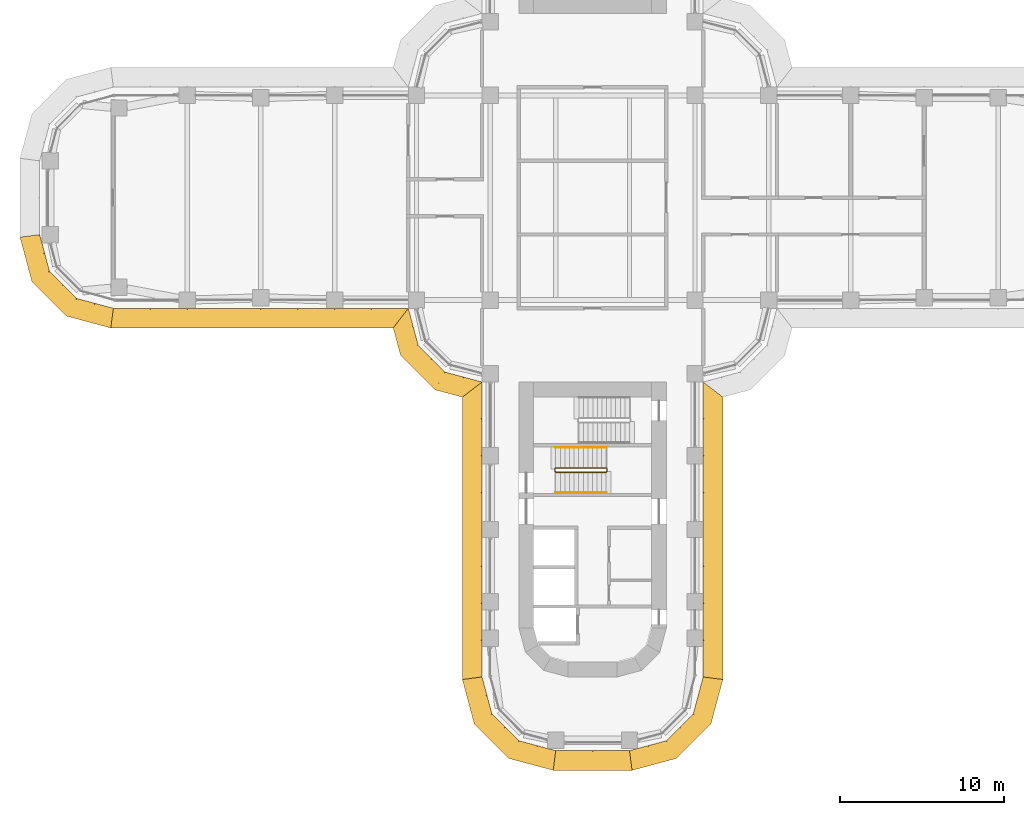
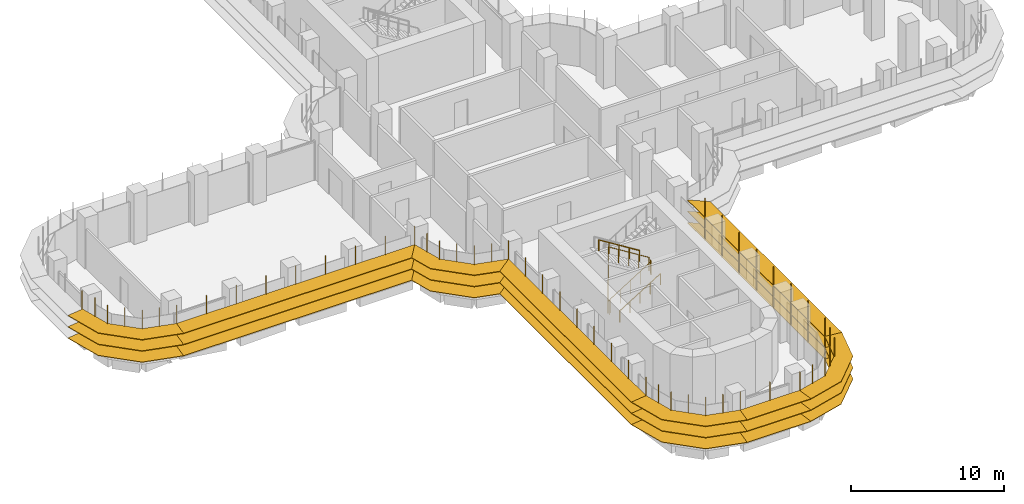
# One storey, part 20 of 23: 8 shading devices, 3 railings.
"""IFC4 building model written with IfcOpenShell, lengths in metres."""

import ifcopenshell
import ifcopenshell.guid

model = None  # the IFC model being written
_history = None  # IfcOwnerHistory: only IFC2X3 demands one
_inside = {}  # id of a spatial element -> (the spatial element, [elements in it])
_under = {}  # id of a project, library or spatial element -> (it, [spatial elements below it])
_declared = {}  # id of a project -> (the project, [libraries it declares])
_typed = {}  # id of a type object -> (the type object, [elements of that type])
_made_of = {}  # id of a material, layer set ... -> (it, [elements and type objects made of it])


def new_model(schema):
    """Start an empty IFC model of exactly this schema.

    Asked for "IFC4X3", IfcOpenShell would pick the latest addendum, in which some entities
    have other attributes; the version numbers below select the first issue.
    IFC2X3 requires an IfcOwnerHistory on every rooted entity: one is made here for all.
    """
    global model, _history
    if schema == "IFC4X3":
        model = ifcopenshell.file(schema_version=(4, 3, 0, 0))
    else:
        model = ifcopenshell.file(schema=schema)
    _inside.clear()
    _under.clear()
    _declared.clear()
    _typed.clear()
    _made_of.clear()
    _history = None
    if model.schema == "IFC2X3":
        org = make("IfcOrganization", Name="unknown")
        user = make(
            "IfcPersonAndOrganization",
            ThePerson=make("IfcPerson", FamilyName="unknown"),
            TheOrganization=org,
        )
        app = make(
            "IfcApplication",
            ApplicationDeveloper=org,
            Version="unknown",
            ApplicationFullName="unknown",
            ApplicationIdentifier="unknown",
        )
        _history = make(
            "IfcOwnerHistory",
            OwningUser=user,
            OwningApplication=app,
            ChangeAction="ADDED",
            CreationDate=0,
        )
    return model


def make(cls, **values):
    """One entity of the class cls with the attributes given. An attribute that is None is left unset."""
    return model.create_entity(
        cls, **{name: value for name, value in values.items() if value is not None}
    )


def rooted(cls, **values):
    """An entity with a GlobalId (a new one), such as an element, a storey or a relation."""
    return make(cls, GlobalId=ifcopenshell.guid.new(), OwnerHistory=_history, **values)


def si_unit(unit_type, name, prefix=None):
    """IfcSIUnit, for example si_unit("LENGTHUNIT", "METRE", prefix="MILLI")."""
    return make("IfcSIUnit", UnitType=unit_type, Prefix=prefix, Name=name)


def assignment(units):
    """IfcUnitAssignment: the units of a project."""
    return None if units is None else make("IfcUnitAssignment", Units=units)


def point(xyz):
    """IfcCartesianPoint."""
    return None if xyz is None else make("IfcCartesianPoint", Coordinates=xyz)


def direction(xyz):
    """IfcDirection."""
    return None if xyz is None else make("IfcDirection", DirectionRatios=xyz)


def frame(location, z_axis=None, x_axis=None):
    """IfcAxis2Placement3D, a coordinate frame: its origin and axes. An axis left out is left unset."""
    return make(
        "IfcAxis2Placement3D",
        Location=point(location),
        Axis=direction(z_axis),
        RefDirection=direction(x_axis),
    )


def frame_2d(location, x_axis=None):
    """IfcAxis2Placement2D, a coordinate frame in the plane: its origin and x axis."""
    return make(
        "IfcAxis2Placement2D", Location=point(location), RefDirection=direction(x_axis)
    )


def origin():
    """The frame at (0, 0, 0) with its axes left unset."""
    return frame((0.0, 0.0, 0.0))


def origin_2d():
    """The frame at (0, 0) in the plane with its x axis left unset."""
    return frame_2d((0.0, 0.0))


def place(relative_to, where):
    """IfcLocalPlacement: puts the frame where relative to a parent placement (None: the world)."""
    return make(
        "IfcLocalPlacement", PlacementRelTo=relative_to, RelativePlacement=where
    )


def context(
    kind, dimensions, precision=None, world=None, true_north=None, identifier=None
):
    """IfcGeometricRepresentationContext, for example the 3D "Model" context."""
    return make(
        "IfcGeometricRepresentationContext",
        ContextIdentifier=identifier,
        ContextType=kind,
        CoordinateSpaceDimension=dimensions,
        Precision=precision,
        WorldCoordinateSystem=world,
        TrueNorth=true_north,
    )


def subcontext(parent, identifier, kind, view, scale=None):
    """IfcGeometricRepresentationSubContext, for example "Body" below "Model"."""
    return make(
        "IfcGeometricRepresentationSubContext",
        ContextIdentifier=identifier,
        ContextType=kind,
        ParentContext=parent,
        TargetScale=scale,
        TargetView=view,
    )


def project(units=None, contexts=None):
    """IfcProject with its units and contexts."""
    return rooted(
        "IfcProject",
        Name="project",
        RepresentationContexts=contexts,
        UnitsInContext=assignment(units),
    )


def spatial(cls, under=None, at=None, **own):
    """A site, building, storey or space (cls), placed at a placement, below another one or the project."""
    s = rooted(cls, ObjectPlacement=at, **own)
    if under is not None:
        _under.setdefault(under.id(), (under, []))[1].append(s)
    return s


def polyline(points):
    """IfcPolyline through the points."""
    return make("IfcPolyline", Points=[point(p) for p in points])


def profile(cls, at=None, kind="AREA", **sizes):
    """A parametric profile (cls). Its sizes go by their IFC names, for example OverallWidth=200.0."""
    return make(cls, ProfileType=kind, Position=at, **sizes)


def circle(**sizes):
    """IfcCircleProfileDef."""
    return profile("IfcCircleProfileDef", **sizes)


def outline(outer, holes=None, kind="AREA"):
    """IfcArbitraryClosedProfileDef: a profile drawn as a closed curve; with holes, ...WithVoids."""
    if holes is None:
        return make("IfcArbitraryClosedProfileDef", ProfileType=kind, OuterCurve=outer)
    return make(
        "IfcArbitraryProfileDefWithVoids",
        ProfileType=kind,
        OuterCurve=outer,
        InnerCurves=holes,
    )


def extrude(swept, where, along, depth):
    """IfcExtrudedAreaSolid: the profile swept, set in the frame where, extruded along a direction by depth."""
    return make(
        "IfcExtrudedAreaSolid",
        SweptArea=swept,
        Position=where,
        ExtrudedDirection=direction(along),
        Depth=depth,
    )


def faces_of(points, faces, orient=None, outer=None):
    """IfcFace entities. A face is a list of loops; a loop is a list of indices into points, from 0.

    orient and outer hold one flag for each loop. By default every Orientation is true, the
    first loop of a face is its IfcFaceOuterBound and the others are IfcFaceBound.
    """
    made = []
    for i, loops in enumerate(faces):
        bounds = []
        for j, loop in enumerate(loops):
            is_outer = j == 0 if outer is None else outer[i][j]
            bounds.append(
                make(
                    "IfcFaceOuterBound" if is_outer else "IfcFaceBound",
                    Bound=make("IfcPolyLoop", Polygon=[points[k] for k in loop]),
                    Orientation=True if orient is None else orient[i][j],
                )
            )
        made.append(make("IfcFace", Bounds=bounds))
    return made


def faceted_brep(points, faces, orient=None, outer=None, voids=None):
    """IfcFacetedBrep: a solid bounded by flat faces; with voids (closed shells), ...WithVoids."""
    shared = [point(p) for p in points]
    hull = make("IfcClosedShell", CfsFaces=faces_of(shared, faces, orient, outer))
    if voids is None:
        return make("IfcFacetedBrep", Outer=hull)
    return make(
        "IfcFacetedBrepWithVoids",
        Outer=hull,
        Voids=[
            make(cls, CfsFaces=faces_of(shared, fs, o, b)) for cls, fs, o, b in voids
        ],
    )


def shape(context_of_items, identifier, shape_type, items):
    """IfcShapeRepresentation: the items that make up one representation, for example the "Body"."""
    return make(
        "IfcShapeRepresentation",
        ContextOfItems=context_of_items,
        RepresentationIdentifier=identifier,
        RepresentationType=shape_type,
        Items=items,
    )


def source(mapping_origin, context_of_items, identifier, shape_type, items):
    """IfcRepresentationMap: a shape defined once, which mapped items show again and again."""
    return make(
        "IfcRepresentationMap",
        MappingOrigin=mapping_origin,
        MappedRepresentation=shape(context_of_items, identifier, shape_type, items),
    )


def transform(
    local_origin,
    x_axis=None,
    y_axis=None,
    z_axis=None,
    scale=None,
    scale2=None,
    scale3=None,
    uniform=True,
):
    """IfcCartesianTransformationOperator3D, or its non-uniform kind. x_axis, y_axis, z_axis: its Axis1, 2, 3."""
    if uniform:
        return make(
            "IfcCartesianTransformationOperator3D",
            Axis1=direction(x_axis),
            Axis2=direction(y_axis),
            LocalOrigin=point(local_origin),
            Scale=scale,
            Axis3=direction(z_axis),
        )
    return make(
        "IfcCartesianTransformationOperator3DnonUniform",
        Axis1=direction(x_axis),
        Axis2=direction(y_axis),
        LocalOrigin=point(local_origin),
        Scale=scale,
        Axis3=direction(z_axis),
        Scale2=scale2,
        Scale3=scale3,
    )


def mapped(mapping_source, mapping_target):
    """IfcMappedItem: shows the shape of a source again, moved by a transform."""
    return make(
        "IfcMappedItem", MappingSource=mapping_source, MappingTarget=mapping_target
    )


def material(Name=None, Category=None):
    """IfcMaterial."""
    return make("IfcMaterial", Name=Name, Category=Category)


def made_of(thing, what):
    """Note that an element or type object is made of a material, layer set ...; save() writes the relation."""
    if what is not None:
        _made_of.setdefault(what.id(), (what, []))[1].append(thing)
    return thing


def type_object(cls, material=None, **own):
    """A type object (cls), such as IfcWallType, which elements share."""
    return made_of(rooted(cls, **own), material)


def element(
    cls,
    number,
    at=None,
    inside=None,
    cuts=None,
    type_object=None,
    material=None,
    context=None,
    identifier="Body",
    shape_type=None,
    held_by="IfcProductDefinitionShape",
    body=None,
    shapes=None,
    **own,
):
    """One element of the class cls, such as IfcWall. Its Tag is "e" and its number.

    at: its placement. inside: the storey or other place that contains it. cuts: it is an
    opening in that element (IfcRelVoidsElement). A single representation is given by context,
    identifier, shape_type and body (its items); several are given by shapes. held_by: the class
    of the entity that holds the representations. save() writes the other relations.
    """
    e = rooted(cls, Tag="e%d" % number, ObjectPlacement=at, **own)
    if body is not None:
        shapes = [shape(context, identifier, shape_type, body)]
    if shapes is not None:
        e.Representation = make(held_by, Representations=shapes)
    if inside is not None:
        _inside.setdefault(inside.id(), (inside, []))[1].append(e)
    if cuts is not None:
        rooted(
            "IfcRelVoidsElement", RelatingBuildingElement=cuts, RelatedOpeningElement=e
        )
    if type_object is not None:
        _typed.setdefault(type_object.id(), (type_object, []))[1].append(e)
    return made_of(e, material)


def aggregate(whole, parts):
    """IfcRelAggregates: a whole, such as a stair, and the parts it consists of."""
    return rooted("IfcRelAggregates", RelatingObject=whole, RelatedObjects=parts)


def save(model, path):
    """Write the relations noted so far, then the file.

    IfcRelAggregates (storeys below a building ...), IfcRelContainedInSpatialStructure (elements
    in a storey), IfcRelDefinesByType, IfcRelAssociatesMaterial and IfcRelDeclares: one each for
    every whole, place, type object, material and project.
    """
    for whole, parts in _under.values():
        aggregate(whole, parts)
    for where, things in _inside.values():
        rooted(
            "IfcRelContainedInSpatialStructure",
            RelatedElements=things,
            RelatingStructure=where,
        )
    for kind, things in _typed.values():
        rooted("IfcRelDefinesByType", RelatedObjects=things, RelatingType=kind)
    for what, things in _made_of.values():
        rooted("IfcRelAssociatesMaterial", RelatedObjects=things, RelatingMaterial=what)
    for by, libraries in _declared.values():
        rooted("IfcRelDeclares", RelatingContext=by, RelatedDefinitions=libraries)
    model.write(path)


model = new_model("IFC4")

# Units and contexts
model_context = context("Model", 3, precision=1e-05, world=origin(), true_north=direction((0.0, 1.0)))
body_context = subcontext(model_context, "Body", "Model", "MODEL_VIEW")
ifc_project = project(units=[si_unit("LENGTHUNIT", "METRE"), si_unit("AREAUNIT", "SQUARE_METRE"), si_unit("VOLUMEUNIT", "CUBIC_METRE"), si_unit("PLANEANGLEUNIT", "RADIAN"), si_unit("MASSUNIT", "GRAM", prefix="KILO")], contexts=[model_context])

# Site, building, storey
site_placement = place(None, origin())
site = spatial("IfcSite", under=ifc_project, at=site_placement, CompositionType="ELEMENT")
building_placement = place(site_placement, origin())
building = spatial("IfcBuilding", under=site, at=building_placement, Name="Zarbagh Exchange Tower", CompositionType="ELEMENT")
storey_placement = place(building_placement, frame((0.0, 0.0, 73.199951171875)))
storey = spatial("IfcBuildingStorey", under=building, at=storey_placement, Name="L16", CompositionType="ELEMENT", Elevation=73.199951171875)

# Railings
ifc_material_1 = material(Name="Stainless steel", Category="steel")
railing_type_1 = type_object("IfcRailingType", Name="Stair guard 1100 mm", PredefinedType="GUARDRAIL", material=ifc_material_1)
railing_1_placement = place(storey_placement, frame((0.830078125, -16.5, 2.275146484375)))
element("IfcRailing", 1, at=railing_1_placement, inside=storey, type_object=railing_type_1, Name="ST3 stair guard 1", PredefinedType="GUARDRAIL", context=body_context, shape_type="SweptSolid", body=[
    extrude(circle(Radius=0.02392578125, at=origin_2d()), frame((0.0, 0.0, 1.076171875), z_axis=(-0.848028513186, 0.0, 0.529950602248), x_axis=(0.0, -1.0, 0.0)), (0.0, 0.0, 1.0), 3.632080078125),
    extrude(circle(Radius=0.02392578125, at=origin_2d()), frame((-3.080078125, 0.0, 3.0009765625), z_axis=(-0.011914834358, -0.011914834358, -0.999858026644), x_axis=(0.707106781187, -0.707106781187, 0.0)), (0.0, 0.0, 1.0), 4.200439453125),
    extrude(circle(Radius=0.02392578125, at=origin_2d()), frame((-3.130126953125, -0.050048828125, -1.19921875), z_axis=(0.0, -1.0, 0.0), x_axis=(1.0, 0.0, 0.0)), (0.0, 0.0, 1.0), 0.14990234375),
    extrude(circle(Radius=0.02392578125, at=origin_2d()), frame((-3.130126953125, -0.199951171875, -1.19921875), z_axis=(0.265065253269, -0.265065253269, 0.927081885822), x_axis=(0.707106781187, 0.707106781187, 0.0)), (0.0, 0.0, 1.0), 0.188720703125),
    extrude(circle(Radius=0.02392578125, at=origin_2d()), frame((-3.080078125, -0.25, -1.02392578125), z_axis=(0.847998304005, 0.0, 0.529998940003), x_axis=(0.0, 1.0, 0.0)), (0.0, 0.0, 1.0), 3.632080078125),
    extrude(circle(Radius=0.02392578125, at=origin_2d()), frame((0.0, -0.25, 0.90087890625), z_axis=(0.705375805398, 0.708833529934, 0.0), x_axis=(-0.708833529934, 0.705375805398, 0.0)), (0.0, 0.0, 1.0), 0.070556640625),
    extrude(circle(Radius=0.02392578125, at=origin_2d()), frame((0.0498046875, -0.199951171875, 0.90087890625), z_axis=(0.0, 1.0, 0.0), x_axis=(-1.0, 0.0, 0.0)), (0.0, 0.0, 1.0), 0.14990234375),
    extrude(circle(Radius=0.02099609375, at=origin_2d()), origin(), (0.0, 0.0, 1.0), 1.052001953125),
    extrude(circle(Radius=0.02099609375, at=origin_2d()), frame((-0.77001953125, 0.0, 0.481201171875)), (0.0, 0.0, 1.0), 1.052001953125),
    extrude(circle(Radius=0.02099609375, at=origin_2d()), frame((-1.5400390625, 0.0, 0.96240234375)), (0.0, 0.0, 1.0), 1.052001953125),
    extrude(circle(Radius=0.02099609375, at=origin_2d()), frame((-2.31005859375, 0.0, 1.443603515625)), (0.0, 0.0, 1.0), 1.052001953125),
    extrude(circle(Radius=0.02099609375, at=origin_2d()), frame((-3.080078125, 0.0, 1.9248046875)), (0.0, 0.0, 1.0), 1.052001953125),
    extrude(circle(Radius=0.02099609375, at=origin_2d()), frame((-3.092529296875, -0.012451171875, 0.874755859375)), (0.0, 0.0, 1.0), 1.052001953125),
    extrude(circle(Radius=0.02099609375, at=origin_2d()), frame((-3.10498046875, -0.02490234375, -0.17529296875)), (0.0, 0.0, 1.0), 1.052001953125),
    extrude(circle(Radius=0.02099609375, at=origin_2d()), frame((-3.11767578125, -0.03759765625, -1.22509765625)), (0.0, 0.0, 1.0), 1.052001953125),
    extrude(circle(Radius=0.02099609375, at=origin_2d()), frame((-3.130126953125, -0.050048828125, -2.275146484375)), (0.0, 0.0, 1.0), 1.052001953125),
    extrude(circle(Radius=0.02099609375, at=origin_2d()), frame((-3.130126953125, -0.199951171875, -2.275146484375)), (0.0, 0.0, 1.0), 1.052001953125),
    extrude(circle(Radius=0.02099609375, at=origin_2d()), frame((-3.080078125, -0.25, -2.10009765625)), (0.0, 0.0, 1.0), 1.052001953125),
    extrude(circle(Radius=0.02099609375, at=origin_2d()), frame((-2.31005859375, -0.25, -1.618896484375)), (0.0, 0.0, 1.0), 1.052001953125),
    extrude(circle(Radius=0.02099609375, at=origin_2d()), frame((-1.5400390625, -0.25, -1.1376953125)), (0.0, 0.0, 1.0), 1.052001953125),
    extrude(circle(Radius=0.02099609375, at=origin_2d()), frame((-0.77001953125, -0.25, -0.65625)), (0.0, 0.0, 1.0), 1.052001953125),
    extrude(circle(Radius=0.02099609375, at=origin_2d()), frame((0.0, -0.25, -0.175048828125)), (0.0, 0.0, 1.0), 1.052001953125),
    extrude(circle(Radius=0.02099609375, at=origin_2d()), frame((0.0498046875, -0.199951171875, -0.175048828125)), (0.0, 0.0, 1.0), 1.052001953125),
    extrude(circle(Radius=0.02099609375, at=origin_2d()), frame((0.0498046875, -0.050048828125, -0.175048828125)), (0.0, 0.0, 1.0), 1.052001953125),
])
railing_type_2 = type_object("IfcRailingType", Name="Stair handrail 900 mm", PredefinedType="HANDRAIL", material=ifc_material_1)
railing_2_placement = place(storey_placement, frame((-2.25, -18.0, 0.175048828125)))
element("IfcRailing", 2, at=railing_2_placement, inside=storey, type_object=railing_type_2, Name="ST3 stair handrail 1", PredefinedType="HANDRAIL", context=body_context, shape_type="SweptSolid", body=[
    extrude(circle(Radius=0.02392578125, at=origin_2d()), frame((0.0, 0.0, 0.8759765625), z_axis=(0.847998304005, 0.0, 0.529998940003), x_axis=(0.0, 1.0, 0.0)), (0.0, 0.0, 1.0), 3.632080078125),
    extrude(circle(Radius=0.02099609375, at=origin_2d()), origin(), (0.0, 0.0, 1.0), 0.851806640625),
    extrude(circle(Radius=0.02099609375, at=origin_2d()), frame((0.77001953125, 0.0, 0.481201171875)), (0.0, 0.0, 1.0), 0.851806640625),
    extrude(circle(Radius=0.02099609375, at=origin_2d()), frame((1.5400390625, 0.0, 0.96240234375)), (0.0, 0.0, 1.0), 0.851806640625),
    extrude(circle(Radius=0.02099609375, at=origin_2d()), frame((2.31005859375, 0.0, 1.44384765625)), (0.0, 0.0, 1.0), 0.851806640625),
    extrude(circle(Radius=0.02099609375, at=origin_2d()), frame((3.080078125, 0.0, 1.925048828125)), (0.0, 0.0, 1.0), 0.851806640625),
])
railing_3_placement = place(storey_placement, frame((0.830078125, -15.25, 2.275146484375)))
element("IfcRailing", 3, at=railing_3_placement, inside=storey, type_object=railing_type_2, Name="ST3 stair handrail 2", PredefinedType="HANDRAIL", context=body_context, shape_type="SweptSolid", body=[
    extrude(circle(Radius=0.02392578125, at=origin_2d()), frame((0.0, 0.0, 0.8759765625), z_axis=(-0.848028513186, 0.0, 0.529950602248), x_axis=(0.0, -1.0, 0.0)), (0.0, 0.0, 1.0), 3.632080078125),
    extrude(circle(Radius=0.02099609375, at=origin_2d()), origin(), (0.0, 0.0, 1.0), 0.851806640625),
    extrude(circle(Radius=0.02099609375, at=origin_2d()), frame((-0.77001953125, 0.0, 0.481201171875)), (0.0, 0.0, 1.0), 0.851806640625),
    extrude(circle(Radius=0.02099609375, at=origin_2d()), frame((-1.5400390625, 0.0, 0.96240234375)), (0.0, 0.0, 1.0), 0.851806640625),
    extrude(circle(Radius=0.02099609375, at=origin_2d()), frame((-2.31005859375, 0.0, 1.443603515625)), (0.0, 0.0, 1.0), 0.851806640625),
    extrude(circle(Radius=0.02099609375, at=origin_2d()), frame((-3.080078125, 0.0, 1.9248046875)), (0.0, 0.0, 1.0), 0.851806640625),
])

# Shading devices
ifc_material_2 = material(Name="Anodised aluminium blades and brackets", Category="aluminium")
shading_device_type = type_object("IfcShadingDeviceType", Name="SUNSHADE louvre band, 0 degree blades", PredefinedType="JALOUSIE", material=ifc_material_2)
shared_shape_1 = source(origin(), body_context, "Body", "Brep", [
    faceted_brep([(0.0, 0.0, 0.0), (0.0, 0.0, -0.0400390625), (-0.157958984375, -1.199951171875, -0.0400390625), (-0.157958984375, -1.199951171875, 0.0), (2.65087890625, -1.199951171875, 0.0), (2.65087890625, -1.199951171875, -0.0400390625), (2.329345703125, 0.0, -0.0400390625), (2.329345703125, 0.0, 0.0)], [[[0, 1, 2, 3]], [[4, 5, 6, 7]], [[0, 7, 6, 1]], [[1, 6, 5, 2]], [[2, 5, 4, 3]], [[3, 4, 7, 0]]]),
])
shared_shape_2 = source(origin(), body_context, "Body", "Brep", [
    faceted_brep([(0.0, 0.0, 0.0), (0.0, 0.0, -0.0400390625), (-0.321533203125, -1.199951171875, -0.0400390625), (-0.321533203125, -1.199951171875, 0.0), (2.65087890625, -1.199951171875, 0.0), (2.65087890625, -1.199951171875, -0.0400390625), (2.329345703125, 0.0, -0.0400390625), (2.329345703125, 0.0, 0.0)], [[[0, 1, 2, 3]], [[4, 5, 6, 7]], [[0, 7, 6, 1]], [[1, 6, 5, 2]], [[2, 5, 4, 3]], [[3, 4, 7, 0]]]),
])
shared_shape_3 = source(origin(), body_context, "Body", "Brep", [
    faceted_brep([(0.0, 0.0, 0.0), (0.0, 0.0, -0.0400390625), (-0.321533203125, -1.199951171875, -0.0400390625), (-0.321533203125, -1.199951171875, 0.0), (2.4873046875, -1.199951171875, 0.0), (2.4873046875, -1.199951171875, -0.0400390625), (2.329345703125, 0.0, -0.0400390625), (2.329345703125, 0.0, 0.0)], [[[0, 1, 2, 3]], [[4, 5, 6, 7]], [[0, 7, 6, 1]], [[1, 6, 5, 2]], [[2, 5, 4, 3]], [[3, 4, 7, 0]]]),
])
shared_shape_4 = source(origin(), body_context, "Body", "SweptSolid", [
    extrude(outline(polyline([(0.0, -0.012451171875), (0.06005859375, -0.012451171875), (0.06005859375, 0.012451171875), (0.0, 0.012451171875), (0.0, -0.012451171875)])), origin(), (0.0, 0.0, 1.0), 3.35009765625),
])
placement = place(storey_placement, origin())
element("IfcShadingDevice", 4, at=placement, inside=storey, type_object=shading_device_type, Name="SS01 sunshade band", PredefinedType="JALOUSIE", context=body_context, shape_type="MappedRepresentation", body=[
    mapped(shared_shape_1, transform((2.25, -33.75, 2.699951171875), x_axis=(0.965924289636, 0.258824779902, 0.0), y_axis=(-0.258824779902, 0.965924289636, 0.0), z_axis=(0.0, 0.0, 1.0))),
    mapped(shared_shape_1, transform((2.25, -33.75, 1.800048828125), x_axis=(0.965924289636, 0.258824779902, 0.0), y_axis=(-0.258824779902, 0.965924289636, 0.0), z_axis=(0.0, 0.0, 1.0))),
    mapped(shared_shape_1, transform((2.25, -33.75, 0.900146484375), x_axis=(0.965924289636, 0.258824779902, 0.0), y_axis=(-0.258824779902, 0.965924289636, 0.0), z_axis=(0.0, 0.0, 1.0))),
    mapped(shared_shape_2, transform((4.5, -33.147216796875, 2.699951171875), x_axis=(0.707106781187, 0.707106781187, 0.0), y_axis=(-0.707106781187, 0.707106781187, 0.0), z_axis=(0.0, 0.0, 1.0))),
    mapped(shared_shape_2, transform((4.5, -33.147216796875, 1.800048828125), x_axis=(0.707106781187, 0.707106781187, 0.0), y_axis=(-0.707106781187, 0.707106781187, 0.0), z_axis=(0.0, 0.0, 1.0))),
    mapped(shared_shape_2, transform((4.5, -33.147216796875, 0.900146484375), x_axis=(0.707106781187, 0.707106781187, 0.0), y_axis=(-0.707106781187, 0.707106781187, 0.0), z_axis=(0.0, 0.0, 1.0))),
    mapped(shared_shape_3, transform((6.147216796875, -31.5, 2.699951171875), x_axis=(0.258824779902, 0.965924289636, 0.0), y_axis=(-0.965924289636, 0.258824779902, 0.0), z_axis=(0.0, 0.0, 1.0))),
    mapped(shared_shape_3, transform((6.147216796875, -31.5, 1.800048828125), x_axis=(0.258824779902, 0.965924289636, 0.0), y_axis=(-0.965924289636, 0.258824779902, 0.0), z_axis=(0.0, 0.0, 1.0))),
    mapped(shared_shape_3, transform((6.147216796875, -31.5, 0.900146484375), x_axis=(0.258824779902, 0.965924289636, 0.0), y_axis=(-0.965924289636, 0.258824779902, 0.0), z_axis=(0.0, 0.0, 1.0))),
    mapped(shared_shape_4, transform((2.25, -33.75, 0.830078125), x_axis=(0.130529263012, -0.991444457092, 0.0), y_axis=(0.991444457092, 0.130529263012, 0.0), z_axis=(0.0, 0.0, 1.0))),
    mapped(shared_shape_4, transform((3.375, -33.448486328125, 0.830078125), x_axis=(0.258825058029, -0.96592421511, 0.0), y_axis=(0.96592421511, 0.258825058029, 0.0), z_axis=(0.0, 0.0, 1.0))),
    mapped(shared_shape_4, transform((4.5, -33.147216796875, 0.830078125), x_axis=(0.50000275701, -0.866023812018, 0.0), y_axis=(0.866023812018, 0.50000275701, 0.0), z_axis=(0.0, 0.0, 1.0))),
    mapped(shared_shape_4, transform((5.323486328125, -32.323486328125, 0.830078125), x_axis=(0.707106781187, -0.707106781187, 0.0), y_axis=(0.707106781187, 0.707106781187, 0.0), z_axis=(0.0, 0.0, 1.0))),
    mapped(shared_shape_4, transform((6.147216796875, -31.5, 0.830078125), x_axis=(0.866023812018, -0.50000275701, 0.0), y_axis=(0.50000275701, 0.866023812018, 0.0), z_axis=(0.0, 0.0, 1.0))),
    mapped(shared_shape_4, transform((6.448486328125, -30.375, 0.830078125), x_axis=(0.96592421511, -0.258825058029, 0.0), y_axis=(0.258825058029, 0.96592421511, 0.0), z_axis=(0.0, 0.0, 1.0))),
])
element("IfcShadingDevice", 5, at=placement, inside=storey, type_object=shading_device_type, Name="SS19 sunshade band", PredefinedType="JALOUSIE", context=body_context, shape_type="MappedRepresentation", body=[
    mapped(shared_shape_1, transform((-33.75, -2.25, 2.699951171875), x_axis=(0.258824779902, -0.965924289636, 0.0), y_axis=(0.965924289636, 0.258824779902, 0.0), z_axis=(0.0, 0.0, 1.0))),
    mapped(shared_shape_1, transform((-33.75, -2.25, 1.800048828125), x_axis=(0.258824779902, -0.965924289636, 0.0), y_axis=(0.965924289636, 0.258824779902, 0.0), z_axis=(0.0, 0.0, 1.0))),
    mapped(shared_shape_1, transform((-33.75, -2.25, 0.900146484375), x_axis=(0.258824779902, -0.965924289636, 0.0), y_axis=(0.965924289636, 0.258824779902, 0.0), z_axis=(0.0, 0.0, 1.0))),
    mapped(shared_shape_2, transform((-33.147216796875, -4.5, 2.699951171875), x_axis=(0.707106781187, -0.707106781187, 0.0), y_axis=(0.707106781187, 0.707106781187, 0.0), z_axis=(0.0, 0.0, 1.0))),
    mapped(shared_shape_2, transform((-33.147216796875, -4.5, 1.800048828125), x_axis=(0.707106781187, -0.707106781187, 0.0), y_axis=(0.707106781187, 0.707106781187, 0.0), z_axis=(0.0, 0.0, 1.0))),
    mapped(shared_shape_2, transform((-33.147216796875, -4.5, 0.900146484375), x_axis=(0.707106781187, -0.707106781187, 0.0), y_axis=(0.707106781187, 0.707106781187, 0.0), z_axis=(0.0, 0.0, 1.0))),
    mapped(shared_shape_3, transform((-31.5, -6.147216796875, 2.699951171875), x_axis=(0.965924289636, -0.258824779902, 0.0), y_axis=(0.258824779902, 0.965924289636, 0.0), z_axis=(0.0, 0.0, 1.0))),
    mapped(shared_shape_3, transform((-31.5, -6.147216796875, 1.800048828125), x_axis=(0.965924289636, -0.258824779902, 0.0), y_axis=(0.258824779902, 0.965924289636, 0.0), z_axis=(0.0, 0.0, 1.0))),
    mapped(shared_shape_3, transform((-31.5, -6.147216796875, 0.900146484375), x_axis=(0.965924289636, -0.258824779902, 0.0), y_axis=(0.258824779902, 0.965924289636, 0.0), z_axis=(0.0, 0.0, 1.0))),
    mapped(shared_shape_4, transform((-33.75, -2.25, 0.830078125), x_axis=(-0.991444457092, -0.130529263012, 0.0), y_axis=(0.130529263012, -0.991444457092, 0.0), z_axis=(0.0, 0.0, 1.0))),
    mapped(shared_shape_4, transform((-33.448486328125, -3.375, 0.830078125), x_axis=(-0.96592421511, -0.258825058029, 0.0), y_axis=(0.258825058029, -0.96592421511, 0.0), z_axis=(0.0, 0.0, 1.0))),
    mapped(shared_shape_4, transform((-33.147216796875, -4.5, 0.830078125), x_axis=(-0.866023812018, -0.50000275701, 0.0), y_axis=(0.50000275701, -0.866023812018, 0.0), z_axis=(0.0, 0.0, 1.0))),
    mapped(shared_shape_4, transform((-32.323486328125, -5.323486328125, 0.830078125), x_axis=(-0.707106781187, -0.707106781187, 0.0), y_axis=(0.707106781187, -0.707106781187, 0.0), z_axis=(0.0, 0.0, 1.0))),
    mapped(shared_shape_4, transform((-31.5, -6.147216796875, 0.830078125), x_axis=(-0.50000275701, -0.866023812018, 0.0), y_axis=(0.866023812018, -0.50000275701, 0.0), z_axis=(0.0, 0.0, 1.0))),
    mapped(shared_shape_4, transform((-30.375, -6.448486328125, 0.830078125), x_axis=(-0.258825058029, -0.96592421511, 0.0), y_axis=(0.96592421511, -0.258825058029, 0.0), z_axis=(0.0, 0.0, 1.0))),
])
element("IfcShadingDevice", 6, at=placement, inside=storey, type_object=shading_device_type, Name="SS23 sunshade band", PredefinedType="JALOUSIE", context=body_context, shape_type="MappedRepresentation", body=[
    mapped(shared_shape_1, transform((-6.75, -29.25, 2.699951171875), x_axis=(0.258824779902, -0.965924289636, 0.0), y_axis=(0.965924289636, 0.258824779902, 0.0), z_axis=(0.0, 0.0, 1.0))),
    mapped(shared_shape_1, transform((-6.75, -29.25, 1.800048828125), x_axis=(0.258824779902, -0.965924289636, 0.0), y_axis=(0.965924289636, 0.258824779902, 0.0), z_axis=(0.0, 0.0, 1.0))),
    mapped(shared_shape_1, transform((-6.75, -29.25, 0.900146484375), x_axis=(0.258824779902, -0.965924289636, 0.0), y_axis=(0.965924289636, 0.258824779902, 0.0), z_axis=(0.0, 0.0, 1.0))),
    mapped(shared_shape_2, transform((-6.147216796875, -31.5, 2.699951171875), x_axis=(0.707106781187, -0.707106781187, 0.0), y_axis=(0.707106781187, 0.707106781187, 0.0), z_axis=(0.0, 0.0, 1.0))),
    mapped(shared_shape_2, transform((-6.147216796875, -31.5, 1.800048828125), x_axis=(0.707106781187, -0.707106781187, 0.0), y_axis=(0.707106781187, 0.707106781187, 0.0), z_axis=(0.0, 0.0, 1.0))),
    mapped(shared_shape_2, transform((-6.147216796875, -31.5, 0.900146484375), x_axis=(0.707106781187, -0.707106781187, 0.0), y_axis=(0.707106781187, 0.707106781187, 0.0), z_axis=(0.0, 0.0, 1.0))),
    mapped(shared_shape_3, transform((-4.5, -33.147216796875, 2.699951171875), x_axis=(0.965924289636, -0.258824779902, 0.0), y_axis=(0.258824779902, 0.965924289636, 0.0), z_axis=(0.0, 0.0, 1.0))),
    mapped(shared_shape_3, transform((-4.5, -33.147216796875, 1.800048828125), x_axis=(0.965924289636, -0.258824779902, 0.0), y_axis=(0.258824779902, 0.965924289636, 0.0), z_axis=(0.0, 0.0, 1.0))),
    mapped(shared_shape_3, transform((-4.5, -33.147216796875, 0.900146484375), x_axis=(0.965924289636, -0.258824779902, 0.0), y_axis=(0.258824779902, 0.965924289636, 0.0), z_axis=(0.0, 0.0, 1.0))),
    mapped(shared_shape_4, transform((-6.75, -29.25, 0.830078125), x_axis=(-0.991444457092, -0.130529263012, 0.0), y_axis=(0.130529263012, -0.991444457092, 0.0), z_axis=(0.0, 0.0, 1.0))),
    mapped(shared_shape_4, transform((-6.448486328125, -30.375, 0.830078125), x_axis=(-0.96592421511, -0.258825058029, 0.0), y_axis=(0.258825058029, -0.96592421511, 0.0), z_axis=(0.0, 0.0, 1.0))),
    mapped(shared_shape_4, transform((-6.147216796875, -31.5, 0.830078125), x_axis=(-0.866023812018, -0.50000275701, 0.0), y_axis=(0.50000275701, -0.866023812018, 0.0), z_axis=(0.0, 0.0, 1.0))),
    mapped(shared_shape_4, transform((-5.323486328125, -32.323486328125, 0.830078125), x_axis=(-0.707106781187, -0.707106781187, 0.0), y_axis=(0.707106781187, -0.707106781187, 0.0), z_axis=(0.0, 0.0, 1.0))),
    mapped(shared_shape_4, transform((-4.5, -33.147216796875, 0.830078125), x_axis=(-0.50000275701, -0.866023812018, 0.0), y_axis=(0.866023812018, -0.50000275701, 0.0), z_axis=(0.0, 0.0, 1.0))),
    mapped(shared_shape_4, transform((-3.375, -33.448486328125, 0.830078125), x_axis=(-0.258825058029, -0.96592421511, 0.0), y_axis=(0.96592421511, -0.258825058029, 0.0), z_axis=(0.0, 0.0, 1.0))),
])
shared_shape_5 = source(origin(), body_context, "Body", "Brep", [
    faceted_brep([(0.0, 0.0, 0.0), (0.0, 0.0, -0.0400390625), (0.9208984375, -1.199951171875, -0.0400390625), (0.9208984375, -1.199951171875, 0.0), (2.65087890625, -1.199951171875, 0.0), (2.65087890625, -1.199951171875, -0.0400390625), (2.329345703125, 0.0, -0.0400390625), (2.329345703125, 0.0, 0.0)], [[[0, 1, 2, 3]], [[4, 5, 6, 7]], [[0, 7, 6, 1]], [[1, 6, 5, 2]], [[2, 5, 4, 3]], [[3, 4, 7, 0]]]),
])
shared_shape_6 = source(origin(), body_context, "Body", "Brep", [
    faceted_brep([(0.0, 0.0, 0.0), (0.0, 0.0, -0.0400390625), (-0.321533203125, -1.199951171875, -0.0400390625), (-0.321533203125, -1.199951171875, 0.0), (1.40869140625, -1.199951171875, 0.0), (1.40869140625, -1.199951171875, -0.0400390625), (2.329345703125, 0.0, -0.0400390625), (2.329345703125, 0.0, 0.0)], [[[0, 1, 2, 3]], [[4, 5, 6, 7]], [[0, 7, 6, 1]], [[1, 6, 5, 2]], [[2, 5, 4, 3]], [[3, 4, 7, 0]]]),
])
element("IfcShadingDevice", 7, at=placement, inside=storey, type_object=shading_device_type, Name="SS21 sunshade band", PredefinedType="JALOUSIE", context=body_context, shape_type="MappedRepresentation", body=[
    mapped(shared_shape_5, transform((-11.25, -6.75, 2.699951171875), x_axis=(0.258824779902, -0.965924289636, 0.0), y_axis=(0.965924289636, 0.258824779902, 0.0), z_axis=(0.0, 0.0, 1.0))),
    mapped(shared_shape_5, transform((-11.25, -6.75, 1.800048828125), x_axis=(0.258824779902, -0.965924289636, 0.0), y_axis=(0.965924289636, 0.258824779902, 0.0), z_axis=(0.0, 0.0, 1.0))),
    mapped(shared_shape_5, transform((-11.25, -6.75, 0.900146484375), x_axis=(0.258824779902, -0.965924289636, 0.0), y_axis=(0.965924289636, 0.258824779902, 0.0), z_axis=(0.0, 0.0, 1.0))),
    mapped(shared_shape_2, transform((-10.647216796875, -9.0, 2.699951171875), x_axis=(0.707106781187, -0.707106781187, 0.0), y_axis=(0.707106781187, 0.707106781187, 0.0), z_axis=(0.0, 0.0, 1.0))),
    mapped(shared_shape_2, transform((-10.647216796875, -9.0, 1.800048828125), x_axis=(0.707106781187, -0.707106781187, 0.0), y_axis=(0.707106781187, 0.707106781187, 0.0), z_axis=(0.0, 0.0, 1.0))),
    mapped(shared_shape_2, transform((-10.647216796875, -9.0, 0.900146484375), x_axis=(0.707106781187, -0.707106781187, 0.0), y_axis=(0.707106781187, 0.707106781187, 0.0), z_axis=(0.0, 0.0, 1.0))),
    mapped(shared_shape_6, transform((-9.0, -10.647216796875, 2.699951171875), x_axis=(0.965924289636, -0.258824779902, 0.0), y_axis=(0.258824779902, 0.965924289636, 0.0), z_axis=(0.0, 0.0, 1.0))),
    mapped(shared_shape_6, transform((-9.0, -10.647216796875, 1.800048828125), x_axis=(0.965924289636, -0.258824779902, 0.0), y_axis=(0.258824779902, 0.965924289636, 0.0), z_axis=(0.0, 0.0, 1.0))),
    mapped(shared_shape_6, transform((-9.0, -10.647216796875, 0.900146484375), x_axis=(0.965924289636, -0.258824779902, 0.0), y_axis=(0.258824779902, 0.965924289636, 0.0), z_axis=(0.0, 0.0, 1.0))),
    mapped(shared_shape_4, transform((-11.25, -6.75, 0.830078125), x_axis=(-0.608758892, -0.793355287, 0.0), y_axis=(0.793355287, -0.608758892, 0.0), z_axis=(0.0, 0.0, 1.0))),
    mapped(shared_shape_4, transform((-10.948486328125, -7.875, 0.830078125), x_axis=(-0.96592421511, -0.258825058029, 0.0), y_axis=(0.258825058029, -0.96592421511, 0.0), z_axis=(0.0, 0.0, 1.0))),
    mapped(shared_shape_4, transform((-10.647216796875, -9.0, 0.830078125), x_axis=(-0.866023812018, -0.50000275701, 0.0), y_axis=(0.50000275701, -0.866023812018, 0.0), z_axis=(0.0, 0.0, 1.0))),
    mapped(shared_shape_4, transform((-9.823486328125, -9.823486328125, 0.830078125), x_axis=(-0.707106781187, -0.707106781187, 0.0), y_axis=(0.707106781187, -0.707106781187, 0.0), z_axis=(0.0, 0.0, 1.0))),
    mapped(shared_shape_4, transform((-9.0, -10.647216796875, 0.830078125), x_axis=(-0.50000275701, -0.866023812018, 0.0), y_axis=(0.866023812018, -0.50000275701, 0.0), z_axis=(0.0, 0.0, 1.0))),
    mapped(shared_shape_4, transform((-7.875, -10.948486328125, 0.830078125), x_axis=(-0.258825058029, -0.96592421511, 0.0), y_axis=(0.96592421511, -0.258825058029, 0.0), z_axis=(0.0, 0.0, 1.0))),
])
shared_shape_7 = source(origin(), body_context, "Body", "Brep", [
    faceted_brep([(0.0, 0.0, 0.0), (0.0, 0.0, -0.0400390625), (-0.157958984375, -1.199951171875, -0.0400390625), (-0.157958984375, -1.199951171875, 0.0), (17.0791015625, -1.199951171875, 0.0), (17.0791015625, -1.199951171875, -0.0400390625), (18.0, 0.0, -0.0400390625), (18.0, 0.0, 0.0)], [[[0, 1, 2, 3]], [[4, 5, 6, 7]], [[0, 7, 6, 1]], [[1, 6, 5, 2]], [[2, 5, 4, 3]], [[3, 4, 7, 0]]]),
])
element("IfcShadingDevice", 8, at=placement, inside=storey, type_object=shading_device_type, Name="SS02 sunshade band", PredefinedType="JALOUSIE", context=body_context, shape_type="MappedRepresentation", body=[
    mapped(shared_shape_7, transform((6.75, -29.25, 2.699951171875), x_axis=(0.0, 1.0, 0.0), y_axis=(-1.0, 0.0, 0.0), z_axis=(0.0, 0.0, 1.0))),
    mapped(shared_shape_7, transform((6.75, -29.25, 1.800048828125), x_axis=(0.0, 1.0, 0.0), y_axis=(-1.0, 0.0, 0.0), z_axis=(0.0, 0.0, 1.0))),
    mapped(shared_shape_7, transform((6.75, -29.25, 0.900146484375), x_axis=(0.0, 1.0, 0.0), y_axis=(-1.0, 0.0, 0.0), z_axis=(0.0, 0.0, 1.0))),
    mapped(shared_shape_4, transform((6.75, -29.25, 0.830078125), x_axis=(0.991444457092, -0.130529263012, 0.0), y_axis=(0.130529263012, 0.991444457092, 0.0), z_axis=(0.0, 0.0, 1.0))),
    mapped(shared_shape_4, transform((6.75, -27.0, 0.830078125), x_axis=(1.0, 0.0, 0.0), y_axis=(0.0, 1.0, 0.0), z_axis=(0.0, 0.0, 1.0))),
    mapped(shared_shape_4, transform((6.75, -24.75, 0.830078125), x_axis=(1.0, 0.0, 0.0), y_axis=(0.0, 1.0, 0.0), z_axis=(0.0, 0.0, 1.0))),
    mapped(shared_shape_4, transform((6.75, -22.5, 0.830078125), x_axis=(1.0, 0.0, 0.0), y_axis=(0.0, 1.0, 0.0), z_axis=(0.0, 0.0, 1.0))),
    mapped(shared_shape_4, transform((6.75, -20.25, 0.830078125), x_axis=(1.0, 0.0, 0.0), y_axis=(0.0, 1.0, 0.0), z_axis=(0.0, 0.0, 1.0))),
    mapped(shared_shape_4, transform((6.75, -18.0, 0.830078125), x_axis=(1.0, 0.0, 0.0), y_axis=(0.0, 1.0, 0.0), z_axis=(0.0, 0.0, 1.0))),
    mapped(shared_shape_4, transform((6.75, -15.75, 0.830078125), x_axis=(1.0, 0.0, 0.0), y_axis=(0.0, 1.0, 0.0), z_axis=(0.0, 0.0, 1.0))),
    mapped(shared_shape_4, transform((6.75, -13.5, 0.830078125), x_axis=(1.0, 0.0, 0.0), y_axis=(0.0, 1.0, 0.0), z_axis=(0.0, 0.0, 1.0))),
])
element("IfcShadingDevice", 9, at=placement, inside=storey, type_object=shading_device_type, Name="SS20 sunshade band", PredefinedType="JALOUSIE", context=body_context, shape_type="MappedRepresentation", body=[
    mapped(shared_shape_7, transform((-29.25, -6.75, 2.699951171875), x_axis=(1.0, 0.0, 0.0), y_axis=(0.0, 1.0, 0.0), z_axis=(0.0, 0.0, 1.0))),
    mapped(shared_shape_7, transform((-29.25, -6.75, 1.800048828125), x_axis=(1.0, 0.0, 0.0), y_axis=(0.0, 1.0, 0.0), z_axis=(0.0, 0.0, 1.0))),
    mapped(shared_shape_7, transform((-29.25, -6.75, 0.900146484375), x_axis=(1.0, 0.0, 0.0), y_axis=(0.0, 1.0, 0.0), z_axis=(0.0, 0.0, 1.0))),
    mapped(shared_shape_4, transform((-29.25, -6.75, 0.830078125), x_axis=(-0.130529263012, -0.991444457092, 0.0), y_axis=(0.991444457092, -0.130529263012, 0.0), z_axis=(0.0, 0.0, 1.0))),
    mapped(shared_shape_4, transform((-27.0, -6.75, 0.830078125), x_axis=(0.0, -1.0, 0.0), y_axis=(1.0, 0.0, 0.0), z_axis=(0.0, 0.0, 1.0))),
    mapped(shared_shape_4, transform((-24.75, -6.75, 0.830078125), x_axis=(0.0, -1.0, 0.0), y_axis=(1.0, 0.0, 0.0), z_axis=(0.0, 0.0, 1.0))),
    mapped(shared_shape_4, transform((-22.5, -6.75, 0.830078125), x_axis=(0.0, -1.0, 0.0), y_axis=(1.0, 0.0, 0.0), z_axis=(0.0, 0.0, 1.0))),
    mapped(shared_shape_4, transform((-20.25, -6.75, 0.830078125), x_axis=(0.0, -1.0, 0.0), y_axis=(1.0, 0.0, 0.0), z_axis=(0.0, 0.0, 1.0))),
    mapped(shared_shape_4, transform((-18.0, -6.75, 0.830078125), x_axis=(0.0, -1.0, 0.0), y_axis=(1.0, 0.0, 0.0), z_axis=(0.0, 0.0, 1.0))),
    mapped(shared_shape_4, transform((-15.75, -6.75, 0.830078125), x_axis=(0.0, -1.0, 0.0), y_axis=(1.0, 0.0, 0.0), z_axis=(0.0, 0.0, 1.0))),
    mapped(shared_shape_4, transform((-13.5, -6.75, 0.830078125), x_axis=(0.0, -1.0, 0.0), y_axis=(1.0, 0.0, 0.0), z_axis=(0.0, 0.0, 1.0))),
])
shared_shape_8 = source(origin(), body_context, "Body", "Brep", [
    faceted_brep([(0.0, 0.0, 0.0), (0.0, 0.0, -0.0400390625), (0.9208984375, -1.199951171875, -0.0400390625), (0.9208984375, -1.199951171875, 0.0), (18.157958984375, -1.199951171875, 0.0), (18.157958984375, -1.199951171875, -0.0400390625), (18.0, 0.0, -0.0400390625), (18.0, 0.0, 0.0)], [[[0, 1, 2, 3]], [[4, 5, 6, 7]], [[0, 7, 6, 1]], [[1, 6, 5, 2]], [[2, 5, 4, 3]], [[3, 4, 7, 0]]]),
])
element("IfcShadingDevice", 10, at=placement, inside=storey, type_object=shading_device_type, Name="SS22 sunshade band", PredefinedType="JALOUSIE", context=body_context, shape_type="MappedRepresentation", body=[
    mapped(shared_shape_8, transform((-6.75, -11.25, 2.699951171875), x_axis=(0.0, -1.0, 0.0), y_axis=(1.0, 0.0, 0.0), z_axis=(0.0, 0.0, 1.0))),
    mapped(shared_shape_8, transform((-6.75, -11.25, 1.800048828125), x_axis=(0.0, -1.0, 0.0), y_axis=(1.0, 0.0, 0.0), z_axis=(0.0, 0.0, 1.0))),
    mapped(shared_shape_8, transform((-6.75, -11.25, 0.900146484375), x_axis=(0.0, -1.0, 0.0), y_axis=(1.0, 0.0, 0.0), z_axis=(0.0, 0.0, 1.0))),
    mapped(shared_shape_4, transform((-6.75, -11.25, 0.830078125), x_axis=(-0.793355287, -0.608758892, 0.0), y_axis=(0.608758892, -0.793355287, 0.0), z_axis=(0.0, 0.0, 1.0))),
    mapped(shared_shape_4, transform((-6.75, -13.5, 0.830078125), x_axis=(-1.0, 0.0, 0.0), y_axis=(0.0, -1.0, 0.0), z_axis=(0.0, 0.0, 1.0))),
    mapped(shared_shape_4, transform((-6.75, -15.75, 0.830078125), x_axis=(-1.0, 0.0, 0.0), y_axis=(0.0, -1.0, 0.0), z_axis=(0.0, 0.0, 1.0))),
    mapped(shared_shape_4, transform((-6.75, -18.0, 0.830078125), x_axis=(-1.0, 0.0, 0.0), y_axis=(0.0, -1.0, 0.0), z_axis=(0.0, 0.0, 1.0))),
    mapped(shared_shape_4, transform((-6.75, -20.25, 0.830078125), x_axis=(-1.0, 0.0, 0.0), y_axis=(0.0, -1.0, 0.0), z_axis=(0.0, 0.0, 1.0))),
    mapped(shared_shape_4, transform((-6.75, -22.5, 0.830078125), x_axis=(-1.0, 0.0, 0.0), y_axis=(0.0, -1.0, 0.0), z_axis=(0.0, 0.0, 1.0))),
    mapped(shared_shape_4, transform((-6.75, -24.75, 0.830078125), x_axis=(-1.0, 0.0, 0.0), y_axis=(0.0, -1.0, 0.0), z_axis=(0.0, 0.0, 1.0))),
    mapped(shared_shape_4, transform((-6.75, -27.0, 0.830078125), x_axis=(-1.0, 0.0, 0.0), y_axis=(0.0, -1.0, 0.0), z_axis=(0.0, 0.0, 1.0))),
])
shared_shape_9 = source(origin(), body_context, "Body", "Brep", [
    faceted_brep([(0.0, 0.0, 0.0), (0.0, 0.0, -0.0400390625), (-0.157958984375, -1.199951171875, -0.0400390625), (-0.157958984375, -1.199951171875, 0.0), (4.657958984375, -1.199951171875, 0.0), (4.657958984375, -1.199951171875, -0.0400390625), (4.5, 0.0, -0.0400390625), (4.5, 0.0, 0.0)], [[[0, 1, 2, 3]], [[4, 5, 6, 7]], [[0, 7, 6, 1]], [[1, 6, 5, 2]], [[2, 5, 4, 3]], [[3, 4, 7, 0]]]),
])
element("IfcShadingDevice", 11, at=placement, inside=storey, type_object=shading_device_type, Name="SS24 sunshade band", PredefinedType="JALOUSIE", context=body_context, shape_type="MappedRepresentation", body=[
    mapped(shared_shape_9, transform((-2.25, -33.75, 2.699951171875), x_axis=(1.0, 0.0, 0.0), y_axis=(0.0, 1.0, 0.0), z_axis=(0.0, 0.0, 1.0))),
    mapped(shared_shape_9, transform((-2.25, -33.75, 1.800048828125), x_axis=(1.0, 0.0, 0.0), y_axis=(0.0, 1.0, 0.0), z_axis=(0.0, 0.0, 1.0))),
    mapped(shared_shape_9, transform((-2.25, -33.75, 0.900146484375), x_axis=(1.0, 0.0, 0.0), y_axis=(0.0, 1.0, 0.0), z_axis=(0.0, 0.0, 1.0))),
    mapped(shared_shape_4, transform((-2.25, -33.75, 0.830078125), x_axis=(-0.130529263012, -0.991444457092, 0.0), y_axis=(0.991444457092, -0.130529263012, 0.0), z_axis=(0.0, 0.0, 1.0))),
    mapped(shared_shape_4, transform((0.0, -33.75, 0.830078125), x_axis=(0.0, -1.0, 0.0), y_axis=(1.0, 0.0, 0.0), z_axis=(0.0, 0.0, 1.0))),
])

save(model, "model.ifc")
